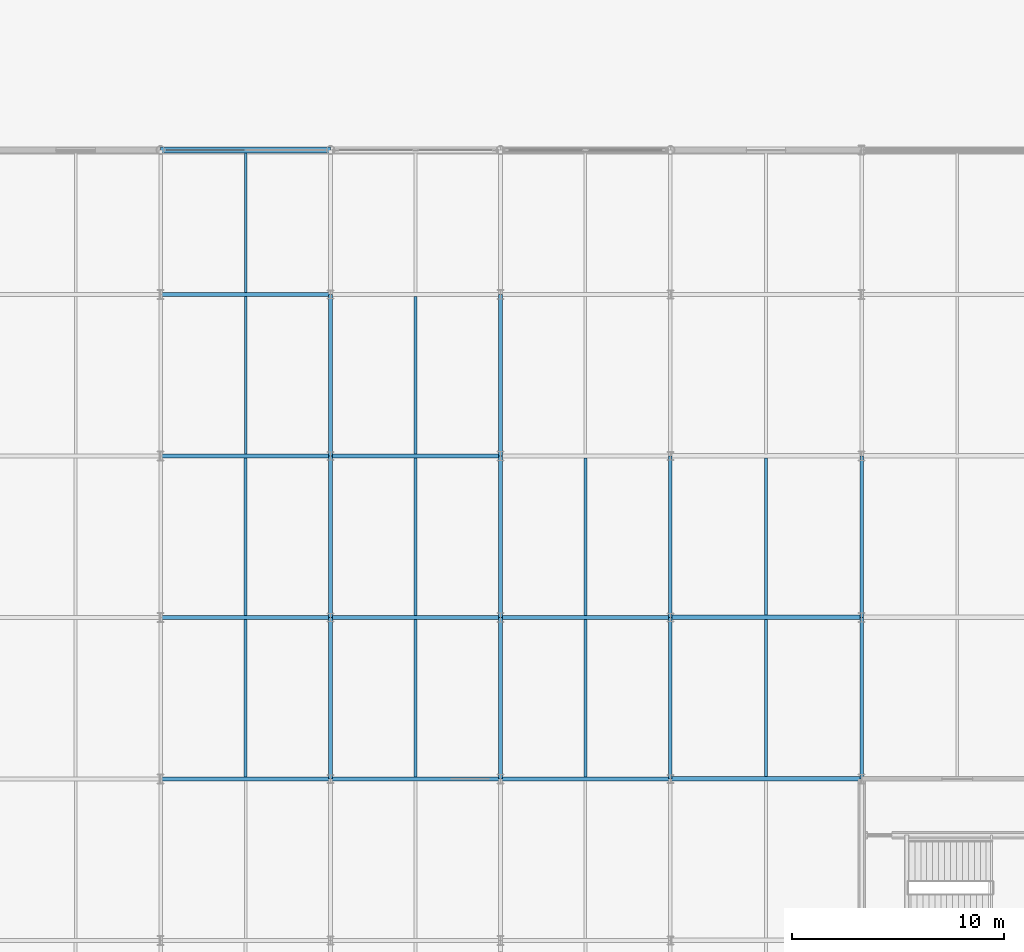
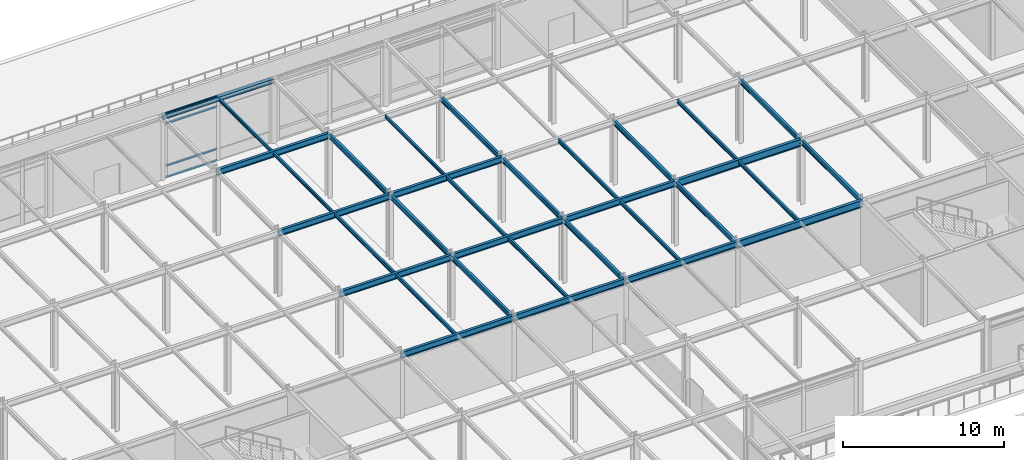
# One storey, part 49 of 113: 33 beams, 4 members, 1 element without a shape of its own.
"""IFC4 building model written with IfcOpenShell, lengths in metres."""

from ifc_helpers import new_model, si_unit, direction, frame, origin, origin_2d, place, context, subcontext, project, spatial, hollow_rectangle, i_section, extrude, material, layer, layer_set, material_profile, profile_set, type_object, element, aggregate, save


model = new_model("IFC4")

# Units and contexts
model_context = context("Model", 3, precision=1e-05, world=origin(), true_north=direction((0.0, 1.0)))
body_context = subcontext(model_context, "Body", "Model", "MODEL_VIEW")
ifc_project = project(units=[si_unit("LENGTHUNIT", "METRE"), si_unit("AREAUNIT", "SQUARE_METRE"), si_unit("VOLUMEUNIT", "CUBIC_METRE"), si_unit("PLANEANGLEUNIT", "RADIAN"), si_unit("MASSUNIT", "GRAM", prefix="KILO")], contexts=[model_context])

# Site, building, storey
site_placement = place(None, origin())
site = spatial("IfcSite", under=ifc_project, at=site_placement, CompositionType="ELEMENT")
building_placement = place(site_placement, origin())
building = spatial("IfcBuilding", under=site, at=building_placement, Name="Shalkamar Park Central Library", CompositionType="ELEMENT")
storey_placement = place(building_placement, frame((0.0, 0.0, 5.39990234375)))
storey = spatial("IfcBuildingStorey", under=building, at=storey_placement, Name="L02", CompositionType="ELEMENT", Elevation=5.39990234375)

# Beams
ifc_material_1 = material(Name="Steel S355", Category="steel")
ifc_material_profile_1 = material_profile(ifc_material_1, i_section(OverallWidth=0.1201171875, OverallDepth=0.239990234375, WebThickness=0.006103515625, FlangeThickness=0.009765625, FilletRadius=0.014892578125, at=origin_2d()), Name="IPE 240")
ifc_profile_set_1 = profile_set([ifc_material_profile_1], Name="Steel S355")
beam_type_1 = type_object("IfcBeamType", Name="Composite Floor Joist IPE240", PredefinedType="JOIST", material=ifc_profile_set_1)
beam_1_placement = place(storey_placement, frame((217.0, 323.693115234375, 4.72998046875), z_axis=(0.0, 1.0, 0.0), x_axis=(-1.0, 0.0, 0.0)))
element("IfcBeam", 1, at=beam_1_placement, inside=storey, type_object=beam_type_1, Name="Composite Joist 13/M-1 (L02)", PredefinedType="JOIST", context=body_context, shape_type="SweptSolid", body=[
    extrude(i_section(OverallWidth=0.1201171875, OverallDepth=0.239990234375, WebThickness=0.006103515625, FlangeThickness=0.009765625, FilletRadius=0.014892578125, at=origin_2d()), origin(), (0.0, 0.0, 1.0), 7.413818359375),
])
beam_2_placement = place(storey_placement, frame((217.0, 331.29296875, 4.72998046875), z_axis=(0.0, 1.0, 0.0), x_axis=(-1.0, 0.0, 0.0)))
element("IfcBeam", 2, at=beam_2_placement, inside=storey, type_object=beam_type_1, Name="Composite Joist 13/N-1 (L02)", PredefinedType="JOIST", context=body_context, shape_type="SweptSolid", body=[
    extrude(i_section(OverallWidth=0.1201171875, OverallDepth=0.239990234375, WebThickness=0.006103515625, FlangeThickness=0.009765625, FilletRadius=0.014892578125, at=origin_2d()), origin(), (0.0, 0.0, 1.0), 6.55908203125),
])
beam_3_placement = place(storey_placement, frame((225.0, 323.693115234375, 4.72998046875), z_axis=(0.0, 1.0, 0.0), x_axis=(-1.0, 0.0, 0.0)))
element("IfcBeam", 3, at=beam_3_placement, inside=storey, type_object=beam_type_1, Name="Composite Joist 14/M-1 (L02)", PredefinedType="JOIST", context=body_context, shape_type="SweptSolid", body=[
    extrude(i_section(OverallWidth=0.1201171875, OverallDepth=0.239990234375, WebThickness=0.006103515625, FlangeThickness=0.009765625, FilletRadius=0.014892578125, at=origin_2d()), origin(), (0.0, 0.0, 1.0), 7.413818359375),
])
ifc_material_profile_2 = material_profile(ifc_material_1, i_section(OverallWidth=0.135009765625, OverallDepth=0.27001953125, WebThickness=0.006591796875, FlangeThickness=0.01025390625, FilletRadius=0.014892578125, at=origin_2d()), Name="IPE 270")
ifc_profile_set_2 = profile_set([ifc_material_profile_2], Name="Steel S355")
beam_type_2 = type_object("IfcBeamType", Name="Composite Floor Joist IPE270", PredefinedType="JOIST", material=ifc_profile_set_2)
for number, where, z_axis, x_axis, name in (
    (4, (217.0, 308.492919921875, 4.72509765625), (0.0, 1.0, 0.0), (-1.0, 0.0, 0.0), "Composite Joist 13/K-1 (L02)"),
    (5, (217.0, 316.093017578125, 4.72509765625), (0.0, 1.0, 0.0), (-1.0, 0.0, 0.0), "Composite Joist 13/L-1 (L02)"),
    (6, (225.0, 308.492919921875, 4.72509765625), (0.0, 1.0, 0.0), (-1.0, 0.0, 0.0), "Composite Joist 14/K-1 (L02)"),
    (7, (225.0, 316.093017578125, 4.72509765625), (0.0, 1.0, 0.0), (-1.0, 0.0, 0.0), "Composite Joist 14/L-1 (L02)"),
    (8, (233.0, 308.492919921875, 4.72509765625), (0.0, 1.0, 0.0), (-1.0, 0.0, 0.0), "Composite Joist 15/K-1 (L02)"),
    (9, (233.0, 316.093017578125, 4.72509765625), (0.0, 1.0, 0.0), (-1.0, 0.0, 0.0), "Composite Joist 15/L-1 (L02)"),
):
    element("IfcBeam", number, at=place(storey_placement, frame(where, z_axis=z_axis, x_axis=x_axis)), inside=storey, type_object=beam_type_2, Name=name, PredefinedType="JOIST", context=body_context, shape_type="SweptSolid", body=[
        extrude(i_section(OverallWidth=0.135009765625, OverallDepth=0.27001953125, WebThickness=0.006591796875, FlangeThickness=0.01025390625, FilletRadius=0.014892578125, at=origin_2d()), origin(), (0.0, 0.0, 1.0), 7.4140625),
    ])
for number, where, z_axis, x_axis, name in (
    (10, (241.5, 308.5029296875, 4.72509765625), (0.0, 1.0, 0.0), (-1.0, 0.0, 0.0), "Composite Joist 16/K-1 (L02)"),
    (11, (241.5, 316.10302734375, 4.72509765625), (0.0, 1.0, 0.0), (-1.0, 0.0, 0.0), "Composite Joist 16/L-1 (L02)"),
):
    element("IfcBeam", number, at=place(storey_placement, frame(where, z_axis=z_axis, x_axis=x_axis)), inside=storey, type_object=beam_type_2, Name=name, PredefinedType="JOIST", context=body_context, shape_type="SweptSolid", body=[
        extrude(i_section(OverallWidth=0.135009765625, OverallDepth=0.27001953125, WebThickness=0.006591796875, FlangeThickness=0.01025390625, FilletRadius=0.014892578125, at=origin_2d()), origin(), (0.0, 0.0, 1.0), 7.39404296875),
    ])

# Curtain wall, members
ifc_material_2 = material(Name="Thermally broken aluminium and triple low-e curtain wall", Category="aluminium")
ifc_layer = layer(ifc_material_2, 0.2548828125)
ifc_layer_set = layer_set([ifc_layer], Name="UnitisedCurtainWall_30")
curtain_wall_type = type_object("IfcCurtainWallType", Name="Unitised Curtain Wall 30", PredefinedType="USERDEFINED", material=ifc_layer_set)
curtain_wall_placement = place(storey_placement, origin())
curtain_wall = element("IfcCurtainWall", 12, at=curtain_wall_placement, inside=storey, type_object=curtain_wall_type, Name="Unitised Curtain Wall CW-L02-034", ObjectType="UNITISED CURTAIN WALL", PredefinedType="USERDEFINED")
ifc_material_3 = material(Name="Aluminium 6060-T66", Category="aluminium")
ifc_material_profile_3 = material_profile(ifc_material_3, hollow_rectangle(XDim=0.06494140625, YDim=0.169921875, WallThickness=0.00390625, InnerFilletRadius=0.00390625, OuterFilletRadius=0.006103515625, at=origin_2d()), Name="ALU 65x170x4")
ifc_profile_set_3 = profile_set([ifc_material_profile_3], Name="Aluminium 6060-T66")
member_type = type_object("IfcMemberType", Name="Curtain Wall Transom ALU65x170", PredefinedType="USERDEFINED", material=ifc_profile_set_3)
member_1_placement = place(storey_placement, frame((213.287109375, 338.0, 0.03271484375), z_axis=(1.0, 0.0, 0.0), x_axis=(0.0, 1.0, 0.0)))
member_1 = element("IfcMember", 13, at=member_1_placement, type_object=member_type, Name="CW-30 transom 1.1", ObjectType="TRANSOM", PredefinedType="USERDEFINED", context=body_context, shape_type="SweptSolid", body=[
    extrude(hollow_rectangle(XDim=0.06494140625, YDim=0.169921875, WallThickness=0.00390625, InnerFilletRadius=0.00390625, OuterFilletRadius=0.006103515625, at=origin_2d()), origin(), (0.0, 0.0, 1.0), 3.6728515625),
])
member_2_placement = place(storey_placement, frame((213.287109375, 338.0, 0.900146484375), z_axis=(1.0, 0.0, 0.0), x_axis=(0.0, 1.0, 0.0)))
member_2 = element("IfcMember", 14, at=member_2_placement, type_object=member_type, Name="CW-30 transom 1.2", ObjectType="TRANSOM", PredefinedType="USERDEFINED", context=body_context, shape_type="SweptSolid", body=[
    extrude(hollow_rectangle(XDim=0.06494140625, YDim=0.169921875, WallThickness=0.00390625, InnerFilletRadius=0.00390625, OuterFilletRadius=0.006103515625, at=origin_2d()), origin(), (0.0, 0.0, 1.0), 3.6728515625),
])
member_3_placement = place(storey_placement, frame((213.287109375, 338.0, 4.10009765625), z_axis=(1.0, 0.0, 0.0), x_axis=(0.0, 1.0, 0.0)))
member_3 = element("IfcMember", 15, at=member_3_placement, type_object=member_type, Name="CW-30 transom 1.3", ObjectType="TRANSOM", PredefinedType="USERDEFINED", context=body_context, shape_type="SweptSolid", body=[
    extrude(hollow_rectangle(XDim=0.06494140625, YDim=0.169921875, WallThickness=0.00390625, InnerFilletRadius=0.00390625, OuterFilletRadius=0.006103515625, at=origin_2d()), origin(), (0.0, 0.0, 1.0), 3.6728515625),
])
member_4_placement = place(storey_placement, frame((213.287109375, 338.0, 4.817626953125), z_axis=(1.0, 0.0, 0.0), x_axis=(0.0, 1.0, 0.0)))
member_4 = element("IfcMember", 16, at=member_4_placement, type_object=member_type, Name="CW-30 transom 1.4", ObjectType="TRANSOM", PredefinedType="USERDEFINED", context=body_context, shape_type="SweptSolid", body=[
    extrude(hollow_rectangle(XDim=0.06494140625, YDim=0.169921875, WallThickness=0.00390625, InnerFilletRadius=0.00390625, OuterFilletRadius=0.006103515625, at=origin_2d()), origin(), (0.0, 0.0, 1.0), 3.6728515625),
])
aggregate(curtain_wall, [member_1, member_2, member_3, member_4])

# Beams
ifc_material_profile_4 = material_profile(ifc_material_1, i_section(OverallWidth=0.300048828125, OverallDepth=0.31005859375, WebThickness=0.009033203125, FlangeThickness=0.015380859375, FilletRadius=0.027099609375, at=origin_2d()), Name="HEA 320")
ifc_profile_set_4 = profile_set([ifc_material_profile_4], Name="Steel S355")
beam_type_3 = type_object("IfcBeamType", Name="Perimeter Spandrel Beam HEA320", PredefinedType="SPANDREL", material=ifc_profile_set_4)
beam_4_placement = place(storey_placement, frame((213.0, 338.0, 4.695068359375), z_axis=(1.0, 0.0, 0.0), x_axis=(0.0, 1.0, 0.0)))
element("IfcBeam", 17, at=beam_4_placement, inside=storey, type_object=beam_type_3, Name="Beam P:13-14 (L02)", PredefinedType="SPANDREL", context=body_context, shape_type="SweptSolid", body=[
    extrude(i_section(OverallWidth=0.300048828125, OverallDepth=0.31005859375, WebThickness=0.009033203125, FlangeThickness=0.015380859375, FilletRadius=0.027099609375, at=origin_2d()), origin(), (0.0, 0.0, 1.0), 8.0),
])
ifc_material_profile_5 = material_profile(ifc_material_1, i_section(OverallWidth=0.169921875, OverallDepth=0.360107421875, WebThickness=0.008056640625, FlangeThickness=0.0126953125, FilletRadius=0.01806640625, at=origin_2d()), Name="IPE 360")
ifc_profile_set_5 = profile_set([ifc_material_profile_5], Name="Steel S355")
beam_type_4 = type_object("IfcBeamType", Name="Primary Girder IPE360", PredefinedType="BEAM", material=ifc_profile_set_5)
for number, where, z_axis, x_axis, name in (
    (18, (221.0, 308.39990234375, 4.68017578125), (0.0, 1.0, 0.0), (-1.0, 0.0, 0.0), "Beam 14:K-L (L02)"),
    (19, (221.0, 316.0, 4.68017578125), (0.0, 1.0, 0.0), (-1.0, 0.0, 0.0), "Beam 14:L-M (L02)"),
):
    element("IfcBeam", number, at=place(storey_placement, frame(where, z_axis=z_axis, x_axis=x_axis)), inside=storey, type_object=beam_type_4, Name=name, PredefinedType="BEAM", context=body_context, shape_type="SweptSolid", body=[
        extrude(i_section(OverallWidth=0.169921875, OverallDepth=0.360107421875, WebThickness=0.008056640625, FlangeThickness=0.0126953125, FilletRadius=0.01806640625, at=origin_2d()), origin(), (0.0, 0.0, 1.0), 7.60009765625),
    ])
beam_5_placement = place(storey_placement, frame((221.0, 323.60009765625, 4.670166015625), z_axis=(0.0, 1.0, 0.0), x_axis=(-1.0, 0.0, 0.0)))
element("IfcBeam", 20, at=beam_5_placement, inside=storey, type_object=beam_type_4, Name="Beam 14:M-N (L02)", PredefinedType="BEAM", context=body_context, shape_type="SweptSolid", body=[
    extrude(i_section(OverallWidth=0.169921875, OverallDepth=0.360107421875, WebThickness=0.008056640625, FlangeThickness=0.0126953125, FilletRadius=0.01806640625, at=origin_2d()), origin(), (0.0, 0.0, 1.0), 7.599853515625),
])
for number, where, z_axis, x_axis, name in (
    (21, (229.0, 308.39990234375, 4.68017578125), (0.0, 1.0, 0.0), (-1.0, 0.0, 0.0), "Beam 15:K-L (L02)"),
    (22, (229.0, 316.0, 4.68017578125), (0.0, 1.0, 0.0), (-1.0, 0.0, 0.0), "Beam 15:L-M (L02)"),
):
    element("IfcBeam", number, at=place(storey_placement, frame(where, z_axis=z_axis, x_axis=x_axis)), inside=storey, type_object=beam_type_4, Name=name, PredefinedType="BEAM", context=body_context, shape_type="SweptSolid", body=[
        extrude(i_section(OverallWidth=0.169921875, OverallDepth=0.360107421875, WebThickness=0.008056640625, FlangeThickness=0.0126953125, FilletRadius=0.01806640625, at=origin_2d()), origin(), (0.0, 0.0, 1.0), 7.60009765625),
    ])
beam_6_placement = place(storey_placement, frame((229.0, 323.60009765625, 4.670166015625), z_axis=(0.0, 1.0, 0.0), x_axis=(-1.0, 0.0, 0.0)))
element("IfcBeam", 23, at=beam_6_placement, inside=storey, type_object=beam_type_4, Name="Beam 15:M-N (L02)", PredefinedType="BEAM", context=body_context, shape_type="SweptSolid", body=[
    extrude(i_section(OverallWidth=0.169921875, OverallDepth=0.360107421875, WebThickness=0.008056640625, FlangeThickness=0.0126953125, FilletRadius=0.01806640625, at=origin_2d()), origin(), (0.0, 0.0, 1.0), 7.599853515625),
])
for number, where, z_axis, x_axis, name in (
    (24, (237.0, 308.39990234375, 4.68017578125), (0.0, 1.0, 0.0), (-1.0, 0.0, 0.0), "Beam 16:K-L (L02)"),
    (25, (237.0, 316.0, 4.68017578125), (0.0, 1.0, 0.0), (-1.0, 0.0, 0.0), "Beam 16:L-M (L02)"),
    (26, (246.0, 308.39990234375, 4.68017578125), (0.0, 1.0, 0.0), (-1.0, 0.0, 0.0), "Beam 17:K-L (L02)"),
    (27, (246.0, 316.0, 4.68017578125), (0.0, 1.0, 0.0), (-1.0, 0.0, 0.0), "Beam 17:L-M (L02)"),
):
    element("IfcBeam", number, at=place(storey_placement, frame(where, z_axis=z_axis, x_axis=x_axis)), inside=storey, type_object=beam_type_4, Name=name, PredefinedType="BEAM", context=body_context, shape_type="SweptSolid", body=[
        extrude(i_section(OverallWidth=0.169921875, OverallDepth=0.360107421875, WebThickness=0.008056640625, FlangeThickness=0.0126953125, FilletRadius=0.01806640625, at=origin_2d()), origin(), (0.0, 0.0, 1.0), 7.60009765625),
    ])
ifc_material_profile_6 = material_profile(ifc_material_1, i_section(OverallWidth=0.18994140625, OverallDepth=0.449951171875, WebThickness=0.009521484375, FlangeThickness=0.0146484375, FilletRadius=0.02099609375, at=origin_2d()), Name="IPE 450")
ifc_profile_set_6 = profile_set([ifc_material_profile_6], Name="Steel S355")
beam_type_5 = type_object("IfcBeamType", Name="Primary Girder IPE450", PredefinedType="BEAM", material=ifc_profile_set_6)
for number, where, z_axis, x_axis, name in (
    (28, (213.0, 308.39990234375, 4.635009765625), (1.0, 0.0, 0.0), (0.0, 1.0, 0.0), "Beam K:13-14 (L02)"),
    (29, (221.0, 308.39990234375, 4.635009765625), (1.0, 0.0, 0.0), (0.0, 1.0, 0.0), "Beam K:14-15 (L02)"),
    (30, (229.0, 308.39990234375, 4.635009765625), (1.0, 0.0, 0.0), (0.0, 1.0, 0.0), "Beam K:15-16 (L02)"),
    (31, (213.0, 316.0, 4.635009765625), (1.0, 0.0, 0.0), (0.0, 1.0, 0.0), "Beam L:13-14 (L02)"),
    (32, (221.0, 316.0, 4.635009765625), (1.0, 0.0, 0.0), (0.0, 1.0, 0.0), "Beam L:14-15 (L02)"),
    (33, (229.0, 316.0, 4.635009765625), (1.0, 0.0, 0.0), (0.0, 1.0, 0.0), "Beam L:15-16 (L02)"),
    (34, (213.0, 323.60009765625, 4.635009765625), (1.0, 0.0, 0.0), (0.0, 1.0, 0.0), "Beam M:13-14 (L02)"),
    (35, (221.0, 323.60009765625, 4.635009765625), (1.0, 0.0, 0.0), (0.0, 1.0, 0.0), "Beam M:14-15 (L02)"),
    (36, (213.0, 331.199951171875, 4.625), (1.0, 0.0, 0.0), (0.0, 1.0, 0.0), "Beam N:13-14 (L02)"),
):
    element("IfcBeam", number, at=place(storey_placement, frame(where, z_axis=z_axis, x_axis=x_axis)), inside=storey, type_object=beam_type_5, Name=name, PredefinedType="BEAM", context=body_context, shape_type="SweptSolid", body=[
        extrude(i_section(OverallWidth=0.18994140625, OverallDepth=0.449951171875, WebThickness=0.009521484375, FlangeThickness=0.0146484375, FilletRadius=0.02099609375, at=origin_2d()), origin(), (0.0, 0.0, 1.0), 8.0),
    ])
ifc_material_profile_7 = material_profile(ifc_material_1, i_section(OverallWidth=0.2099609375, OverallDepth=0.550048828125, WebThickness=0.010986328125, FlangeThickness=0.01708984375, FilletRadius=0.02392578125, at=origin_2d()), Name="IPE 550")
ifc_profile_set_7 = profile_set([ifc_material_profile_7], Name="Steel S355")
beam_type_6 = type_object("IfcBeamType", Name="Primary Girder IPE550", PredefinedType="BEAM", material=ifc_profile_set_7)
for number, where, z_axis, x_axis, name in (
    (37, (237.0, 308.39990234375, 4.585205078125), (1.0, 0.0, 0.0), (0.0, 1.0, 0.0), "Beam K:16-17 (L02)"),
    (38, (237.0, 316.0, 4.585205078125), (1.0, 0.0, 0.0), (0.0, 1.0, 0.0), "Beam L:16-17 (L02)"),
):
    element("IfcBeam", number, at=place(storey_placement, frame(where, z_axis=z_axis, x_axis=x_axis)), inside=storey, type_object=beam_type_6, Name=name, PredefinedType="BEAM", context=body_context, shape_type="SweptSolid", body=[
        extrude(i_section(OverallWidth=0.2099609375, OverallDepth=0.550048828125, WebThickness=0.010986328125, FlangeThickness=0.01708984375, FilletRadius=0.02392578125, at=origin_2d()), origin(), (0.0, 0.0, 1.0), 9.0),
    ])

save(model, "model.ifc")
